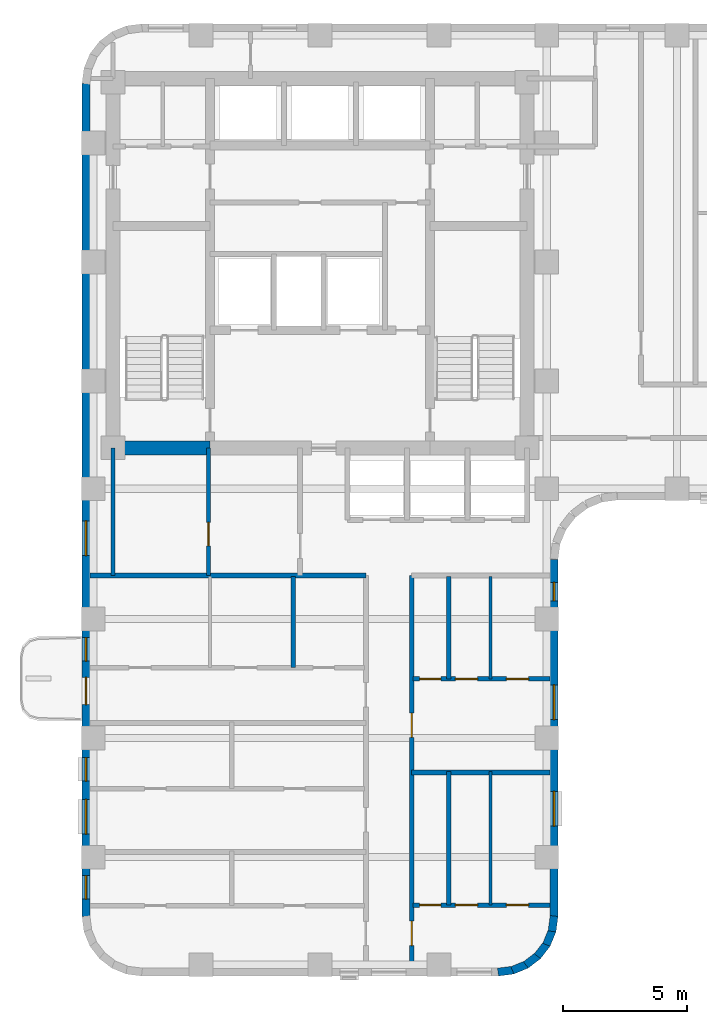
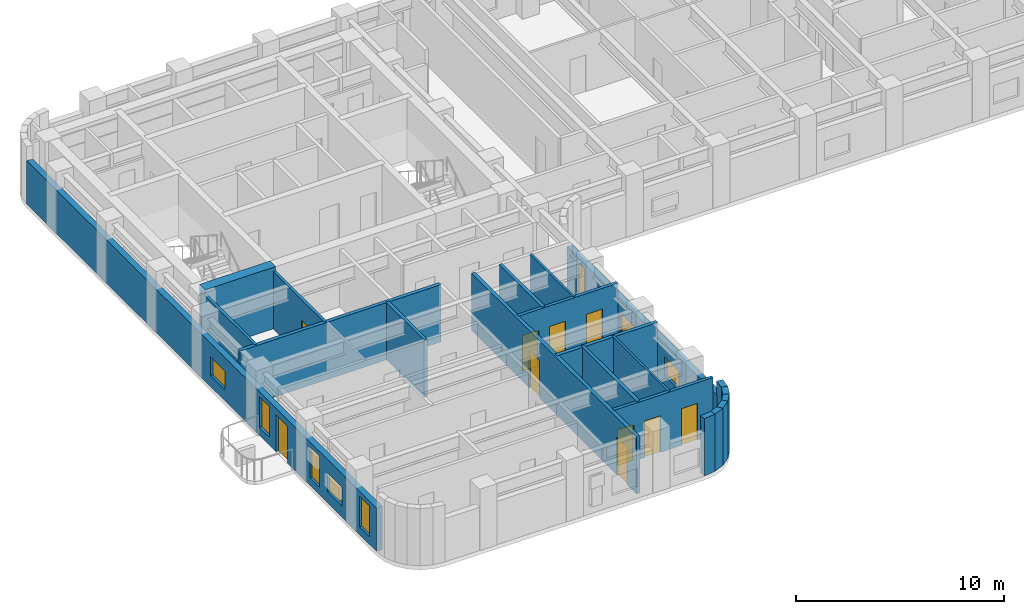
# One storey, part 3 of 10: 21 walls, 10 doors, 8 windows, 18 openings.
"""IFC4 building model written with IfcOpenShell, lengths in metres."""

from ifc_helpers import new_model, si_unit, direction, frame, frame_2d, origin, place, context, subcontext, project, spatial, rectangle, extrude, material, layer, layer_set, type_object, element, fill, save


model = new_model("IFC4")

# Units and contexts
model_context = context("Model", 3, precision=1e-05, world=origin(), true_north=direction((0.0, 1.0)))
body_context = subcontext(model_context, "Body", "Model", "MODEL_VIEW")
ifc_project = project(units=[si_unit("LENGTHUNIT", "METRE"), si_unit("AREAUNIT", "SQUARE_METRE"), si_unit("VOLUMEUNIT", "CUBIC_METRE"), si_unit("PLANEANGLEUNIT", "RADIAN"), si_unit("MASSUNIT", "GRAM", prefix="KILO")], contexts=[model_context])

# Site, building, storey
site_placement = place(None, origin())
site = spatial("IfcSite", under=ifc_project, at=site_placement, CompositionType="ELEMENT")
building_placement = place(site_placement, origin())
building = spatial("IfcBuilding", under=site, at=building_placement, Name="Orvandelia Arch Residences", CompositionType="ELEMENT")
storey_placement = place(building_placement, frame((0.0, 0.0, 139.60009765625)))
storey = spatial("IfcBuildingStorey", under=building, at=storey_placement, Name="L36", CompositionType="ELEMENT", Elevation=139.60009765625)

# Wall
ifc_material_1 = material(Name="Concrete C60/75", Category="concrete")
ifc_layer_1 = layer(ifc_material_1, 0.550048828125, Name="Concrete C60/75", Category="concrete")
ifc_layer_set_1 = layer_set([ifc_layer_1], Name="Concrete C60/75")
wall_type_1 = type_object("IfcWallType", Name="WL-CORE-550", PredefinedType="SHEAR", material=ifc_layer_set_1)
wall_1_placement = place(storey_placement, frame((6.050048828125, 30.89990234375, 0.0), z_axis=(0.0, 0.0, 1.0), x_axis=(1.0, 0.0, 0.0)))
element("IfcWall", 1, at=wall_1_placement, inside=storey, type_object=wall_type_1, Name="Core Shear Wall L36-SW", PredefinedType="SHEAR", context=body_context, shape_type="SweptSolid", body=[
    extrude(rectangle(XDim=3.909912109375, YDim=0.550048828125, at=frame_2d((1.955078125, 0.0))), origin(), (0.0, 0.0, 1.0), 3.599853515625),
])

# Wall, openings, doors
ifc_material_2 = material(Name="Fire-Rated Corridor Partition")
ifc_layer_2 = layer(ifc_material_2, 0.199951171875, Name="Fire-Rated Corridor Partition")
ifc_layer_set_2 = layer_set([ifc_layer_2], Name="Fire-Rated Corridor Partition")
wall_type_2 = type_object("IfcWallType", Name="WL-CORR-200", PredefinedType="PARTITIONING", material=ifc_layer_set_2)
wall_2_placement = place(storey_placement, frame((18.10009765625, 9.919921875, 0.0), z_axis=(0.0, 0.0, 1.0), x_axis=(0.0, 1.0, 0.0)))
wall_2 = element("IfcWall", 2, at=wall_2_placement, inside=storey, type_object=wall_type_2, Name="Interior Partition Wall WL-L36-WC-E", PredefinedType="PARTITIONING", context=body_context, shape_type="SweptSolid", body=[
    extrude(rectangle(XDim=15.830078125, YDim=0.199951171875, at=frame_2d((7.9150390625, 0.0))), origin(), (0.0, 0.0, 1.0), 3.35986328125),
])
opening_1_placement = place(wall_2_placement, frame((0.910888671875, 0.0, 0.0)))
opening_1 = element("IfcOpeningElement", 3, at=opening_1_placement, cuts=wall_2, Name="Opening D1", PredefinedType="OPENING", context=body_context, shape_type="SweptSolid", body=[
    extrude(rectangle(XDim=0.97998046875, YDim=2.179931640625, at=frame_2d((0.489990234375, 1.08984375))), frame((0.0, 0.10986328125, 0.0), z_axis=(0.0, -1.0, 0.0), x_axis=(1.0, 0.0, 0.0)), (0.0, 0.0, 1.0), 0.219970703125),
])
opening_2_placement = place(wall_2_placement, frame((9.302001953125, 0.0, 0.0)))
opening_2 = element("IfcOpeningElement", 4, at=opening_2_placement, cuts=wall_2, Name="Opening D1", PredefinedType="OPENING", context=body_context, shape_type="SweptSolid", body=[
    extrude(rectangle(XDim=0.97998046875, YDim=2.179931640625, at=frame_2d((0.489990234375, 1.08984375))), frame((0.0, 0.10986328125, 0.0), z_axis=(0.0, -1.0, 0.0), x_axis=(1.0, 0.0, 0.0)), (0.0, 0.0, 1.0), 0.219970703125),
])
ifc_material_3 = material(Name="Solid-Core Timber Acoustic Fire Door", Category="wood")
door_type_1 = type_object("IfcDoorType", Name="DR-ENT-980", OperationType="NOTDEFINED", PredefinedType="DOOR", material=ifc_material_3)
door_1_placement = place(opening_1_placement, origin())
door_1 = element("IfcDoor", 5, at=door_1_placement, inside=storey, type_object=door_type_1, Name="Unit L36-04 Entrance Door", OperationType="SINGLE_SWING_RIGHT", OverallHeight=2.179931640625, OverallWidth=0.97998046875, PredefinedType="DOOR", context=body_context, shape_type="SweptSolid", body=[
    extrude(rectangle(XDim=0.97998046875, YDim=2.179931640625, at=frame_2d((0.489990234375, 1.08984375))), frame((0.0, 0.02490234375, 0.0), z_axis=(0.0, -1.0, 0.0), x_axis=(1.0, 0.0, 0.0)), (0.0, 0.0, 1.0), 0.050048828125),
])
fill(opening_1, door_1)
door_2_placement = place(opening_2_placement, origin())
door_2 = element("IfcDoor", 6, at=door_2_placement, inside=storey, type_object=door_type_1, Name="Unit L36-05 Entrance Door", OperationType="SINGLE_SWING_LEFT", OverallHeight=2.179931640625, OverallWidth=0.97998046875, PredefinedType="DOOR", context=body_context, shape_type="SweptSolid", body=[
    extrude(rectangle(XDim=0.97998046875, YDim=2.179931640625, at=frame_2d((0.489990234375, 1.08984375))), frame((0.0, 0.02490234375, 0.0), z_axis=(0.0, -1.0, 0.0), x_axis=(1.0, 0.0, 0.0)), (0.0, 0.0, 1.0), 0.050048828125),
])
fill(opening_2, door_2)

# Walls
wall_3_placement = place(storey_placement, frame((5.1201171875, 25.75, 0.0), z_axis=(0.0, 0.0, 1.0), x_axis=(1.0, 0.0, 0.0)))
element("IfcWall", 7, at=wall_3_placement, inside=storey, type_object=wall_type_2, Name="Interior Partition Wall WL-L36-WCLS-W", PredefinedType="PARTITIONING", context=body_context, shape_type="SweptSolid", body=[
    extrude(rectangle(XDim=11.1298828125, YDim=0.199951171875, at=frame_2d((5.56494140625, 0.0))), origin(), (0.0, 0.0, 1.0), 3.35986328125),
])
ifc_material_4 = material(Name="Concrete C40/50", Category="concrete")
ifc_layer_3 = layer(ifc_material_4, 0.199951171875, Name="Concrete C40/50", Category="concrete")
ifc_layer_set_3 = layer_set([ifc_layer_3], Name="Concrete C40/50")
wall_type_3 = type_object("IfcWallType", Name="WL-DEM-200", PredefinedType="SOLIDWALL", material=ifc_layer_set_3)
wall_4_placement = place(storey_placement, frame((18.10009765625, 17.800048828125, 0.0), z_axis=(0.0, 0.0, 1.0), x_axis=(1.0, 0.0, 0.0)))
element("IfcWall", 8, at=wall_4_placement, inside=storey, type_object=wall_type_3, Name="Interior Partition Wall WL-L36-DEM-WR-178", PredefinedType="SOLIDWALL", context=body_context, shape_type="SweptSolid", body=[
    extrude(rectangle(XDim=5.579833984375, YDim=0.199951171875, at=frame_2d((2.7900390625, 0.0))), origin(), (0.0, 0.0, 1.0), 3.35986328125),
])

# Wall, openings, windows
ifc_material_5 = material(Name="Precast concrete C40/50", Category="concrete")
ifc_layer_4 = layer(ifc_material_5, 0.320068359375, Name="Precast concrete C40/50", Category="concrete")
ifc_layer_set_4 = layer_set([ifc_layer_4], Name="Precast concrete C40/50")
wall_type_4 = type_object("IfcWallType", Name="WL-EXT-STONE-320", PredefinedType="STANDARD", material=ifc_layer_set_4)
wall_5_placement = place(storey_placement, frame((23.840087890625, 26.39990234375, 0.0), z_axis=(0.0, 0.0, 1.0), x_axis=(0.0, -1.0, 0.0)))
wall_5 = element("IfcWall", 9, at=wall_5_placement, inside=storey, type_object=wall_type_4, Name="Coral-Limestone Precast Facade Wall L36-028", PredefinedType="STANDARD", context=body_context, shape_type="SweptSolid", body=[
    extrude(rectangle(XDim=14.39990234375, YDim=0.320068359375, at=frame_2d((7.199951171875, 0.0))), origin(), (0.0, 0.0, 1.0), 2.539794921875),
])
opening_3_placement = place(wall_5_placement, frame((9.3525390625, 0.0, 0.64990234375)))
opening_3 = element("IfcOpeningElement", 10, at=opening_3_placement, cuts=wall_5, Name="Opening W10", PredefinedType="OPENING", context=body_context, shape_type="SweptSolid", body=[
    extrude(rectangle(XDim=1.39990234375, YDim=1.10009765625, at=frame_2d((0.699951171875, 0.550048828125))), frame((0.0, 0.169921875, 0.0), z_axis=(0.0, -1.0, 0.0), x_axis=(1.0, 0.0, 0.0)), (0.0, 0.0, 1.0), 0.340087890625),
])
opening_4_placement = place(wall_5_placement, frame((0.91748046875, 0.0, 0.449951171875)))
opening_4 = element("IfcOpeningElement", 11, at=opening_4_placement, cuts=wall_5, Name="Opening W11", PredefinedType="OPENING", context=body_context, shape_type="SweptSolid", body=[
    extrude(rectangle(XDim=0.75, YDim=1.800048828125, at=frame_2d((0.375, 0.89990234375))), frame((0.0, 0.169921875, 0.0), z_axis=(0.0, -1.0, 0.0), x_axis=(1.0, 0.0, 0.0)), (0.0, 0.0, 1.0), 0.340087890625),
])
opening_5_placement = place(wall_5_placement, frame((5.060546875, 0.0, 0.64990234375)))
opening_5 = element("IfcOpeningElement", 12, at=opening_5_placement, cuts=wall_5, Name="Opening W10", PredefinedType="OPENING", context=body_context, shape_type="SweptSolid", body=[
    extrude(rectangle(XDim=1.39990234375, YDim=1.10009765625, at=frame_2d((0.699951171875, 0.550048828125))), frame((0.0, 0.169921875, 0.0), z_axis=(0.0, -1.0, 0.0), x_axis=(1.0, 0.0, 0.0)), (0.0, 0.0, 1.0), 0.340087890625),
])
ifc_material_6 = material(Name="Tempered Low-E Insulated Glazing", Category="glass")
window_type_1 = type_object("IfcWindowType", Name="WIN-BED-0750x1800", PartitioningType="SINGLE_PANEL", PredefinedType="WINDOW", material=ifc_material_6)
window_1_placement = place(opening_4_placement, origin())
window_1 = element("IfcWindow", 13, at=window_1_placement, inside=storey, type_object=window_type_1, Name="Recessed Punched Window L36-016", OverallHeight=1.800048828125, OverallWidth=0.75, PartitioningType="SINGLE_PANEL", PredefinedType="WINDOW", context=body_context, shape_type="SweptSolid", body=[
    extrude(rectangle(XDim=0.75, YDim=1.800048828125, at=frame_2d((0.375, 0.89990234375))), frame((0.0, 0.030029296875, 0.0), z_axis=(0.0, -1.0, 0.0), x_axis=(1.0, 0.0, 0.0)), (0.0, 0.0, 1.0), 0.06005859375),
])
fill(opening_4, window_1)
window_type_2 = type_object("IfcWindowType", Name="WIN-CLR-1400x1100", PartitioningType="SINGLE_PANEL", PredefinedType="WINDOW", material=ifc_material_6)
window_2_placement = place(opening_3_placement, origin())
window_2 = element("IfcWindow", 14, at=window_2_placement, inside=storey, type_object=window_type_2, Name="Recessed Punched Window L36-015", OverallHeight=1.10009765625, OverallWidth=1.39990234375, PartitioningType="SINGLE_PANEL", PredefinedType="WINDOW", context=body_context, shape_type="SweptSolid", body=[
    extrude(rectangle(XDim=1.39990234375, YDim=1.10009765625, at=frame_2d((0.699951171875, 0.550048828125))), frame((0.0, 0.030029296875, 0.0), z_axis=(0.0, -1.0, 0.0), x_axis=(1.0, 0.0, 0.0)), (0.0, 0.0, 1.0), 0.06005859375),
])
fill(opening_3, window_2)
window_3_placement = place(opening_5_placement, origin())
window_3 = element("IfcWindow", 15, at=window_3_placement, inside=storey, type_object=window_type_2, Name="Recessed Punched Window L36-017", OverallHeight=1.10009765625, OverallWidth=1.39990234375, PartitioningType="SINGLE_PANEL", PredefinedType="WINDOW", context=body_context, shape_type="SweptSolid", body=[
    extrude(rectangle(XDim=1.39990234375, YDim=1.10009765625, at=frame_2d((0.699951171875, 0.550048828125))), frame((0.0, 0.030029296875, 0.0), z_axis=(0.0, -1.0, 0.0), x_axis=(1.0, 0.0, 0.0)), (0.0, 0.0, 1.0), 0.06005859375),
])
fill(opening_5, window_3)

# Walls
wall_6_placement = place(storey_placement, frame((23.84130859375, 12.02099609375, 0.0), z_axis=(0.0, 0.0, 1.0), x_axis=(-0.130504898859, -0.991447664465, 0.0)))
element("IfcWall", 16, at=wall_6_placement, inside=storey, type_object=wall_type_4, Name="Coral-Limestone Precast Facade Wall L36-029", PredefinedType="STANDARD", context=body_context, shape_type="SweptSolid", body=[
    extrude(rectangle(XDim=0.626708984375, YDim=0.320068359375, at=frame_2d((0.3134765625, 0.0))), origin(), (0.0, 0.0, 1.0), 3.35986328125),
])
for number, where, z_axis, x_axis, name in (
    (17, (23.7705078125, 11.43994140625, 0.0), (0.0, 0.0, 1.0), (-0.382650053678, -0.92389335771, 0.0), "Coral-Limestone Precast Facade Wall L36-030"),
    (18, (23.551513671875, 10.8974609375, 0.0), (0.0, 0.0, 1.0), (-0.608693302629, -0.793405610854, 0.0), "Coral-Limestone Precast Facade Wall L36-031"),
    (19, (23.19970703125, 10.4296875, 0.0), (0.0, 0.0, 1.0), (-0.793405610854, -0.608693302629, 0.0), "Coral-Limestone Precast Facade Wall L36-032"),
    (20, (22.73876953125, 10.0693359375, 0.0), (0.0, 0.0, 1.0), (-0.92389335771, -0.382650053678, 0.0), "Coral-Limestone Precast Facade Wall L36-033"),
    (21, (22.2001953125, 9.84033203125, 0.0), (0.0, 0.0, 1.0), (-0.9914410257, -0.130555323746, 0.0), "Coral-Limestone Precast Facade Wall L36-034"),
):
    element("IfcWall", number, at=place(storey_placement, frame(where, z_axis=z_axis, x_axis=x_axis)), inside=storey, type_object=wall_type_4, Name=name, PredefinedType="STANDARD", context=body_context, shape_type="SweptSolid", body=[
        extrude(rectangle(XDim=0.62646484375, YDim=0.320068359375, at=frame_2d((0.313232421875, 0.0))), origin(), (0.0, 0.0, 1.0), 3.35986328125),
    ])

# Wall, openings, door, windows
wall_7_placement = place(storey_placement, frame((4.9599609375, 12.0, 0.0), z_axis=(0.0, 0.0, 1.0), x_axis=(0.0, 1.0, 0.0)))
wall_7 = element("IfcWall", 22, at=wall_7_placement, inside=storey, type_object=wall_type_4, Name="Coral-Limestone Precast Facade Wall L36-042", PredefinedType="STANDARD", context=body_context, shape_type="SweptSolid", body=[
    extrude(rectangle(XDim=33.60009765625, YDim=0.320068359375, at=frame_2d((16.800048828125, 0.0))), origin(), (0.0, 0.0, 1.0), 2.539794921875),
])
opening_6_placement = place(wall_7_placement, frame((8.550048828125, 0.0, 0.0)))
opening_6 = element("IfcOpeningElement", 23, at=opening_6_placement, cuts=wall_7, Name="Opening BD1", PredefinedType="OPENING", context=body_context, shape_type="SweptSolid", body=[
    extrude(rectangle(XDim=1.10009765625, YDim=2.14990234375, at=frame_2d((0.550048828125, 1.074951171875))), frame((0.0, 0.169921875, 0.0), z_axis=(0.0, -1.0, 0.0), x_axis=(1.0, 0.0, 0.0)), (0.0, 0.0, 1.0), 0.340087890625),
])
opening_7_placement = place(wall_7_placement, frame((3.327392578125, 0.0, 0.64990234375)))
opening_7 = element("IfcOpeningElement", 24, at=opening_7_placement, cuts=wall_7, Name="Opening W10", PredefinedType="OPENING", context=body_context, shape_type="SweptSolid", body=[
    extrude(rectangle(XDim=1.39990234375, YDim=1.10009765625, at=frame_2d((0.699951171875, 0.550048828125))), frame((0.0, 0.169921875, 0.0), z_axis=(0.0, -1.0, 0.0), x_axis=(1.0, 0.0, 0.0)), (0.0, 0.0, 1.0), 0.340087890625),
])
opening_8_placement = place(wall_7_placement, frame((10.297607421875, 0.0, 0.449951171875)))
opening_8 = element("IfcOpeningElement", 25, at=opening_8_placement, cuts=wall_7, Name="Opening W4", PredefinedType="OPENING", context=body_context, shape_type="SweptSolid", body=[
    extrude(rectangle(XDim=0.949951171875, YDim=1.800048828125, at=frame_2d((0.47509765625, 0.89990234375))), frame((0.0, 0.169921875, 0.0), z_axis=(0.0, -1.0, 0.0), x_axis=(1.0, 0.0, 0.0)), (0.0, 0.0, 1.0), 0.340087890625),
])
opening_9_placement = place(wall_7_placement, frame((0.699462890625, 0.0, 0.449951171875)))
opening_9 = element("IfcOpeningElement", 26, at=opening_9_placement, cuts=wall_7, Name="Opening W4", PredefinedType="OPENING", context=body_context, shape_type="SweptSolid", body=[
    extrude(rectangle(XDim=0.949951171875, YDim=1.800048828125, at=frame_2d((0.47509765625, 0.89990234375))), frame((0.0, 0.169921875, 0.0), z_axis=(0.0, -1.0, 0.0), x_axis=(1.0, 0.0, 0.0)), (0.0, 0.0, 1.0), 0.340087890625),
])
opening_10_placement = place(wall_7_placement, frame((5.45751953125, 0.0, 0.449951171875)))
opening_10 = element("IfcOpeningElement", 27, at=opening_10_placement, cuts=wall_7, Name="Opening W4", PredefinedType="OPENING", context=body_context, shape_type="SweptSolid", body=[
    extrude(rectangle(XDim=0.949951171875, YDim=1.800048828125, at=frame_2d((0.47509765625, 0.89990234375))), frame((0.0, 0.169921875, 0.0), z_axis=(0.0, -1.0, 0.0), x_axis=(1.0, 0.0, 0.0)), (0.0, 0.0, 1.0), 0.340087890625),
])
opening_11_placement = place(wall_7_placement, frame((14.5576171875, 0.0, 0.64990234375)))
opening_11 = element("IfcOpeningElement", 28, at=opening_11_placement, cuts=wall_7, Name="Opening W10", PredefinedType="OPENING", context=body_context, shape_type="SweptSolid", body=[
    extrude(rectangle(XDim=1.39990234375, YDim=1.10009765625, at=frame_2d((0.699951171875, 0.550048828125))), frame((0.0, 0.169921875, 0.0), z_axis=(0.0, -1.0, 0.0), x_axis=(1.0, 0.0, 0.0)), (0.0, 0.0, 1.0), 0.340087890625),
])
ifc_material_7 = material(Name="Thermally Broken Aluminium Glazed Door", Category="aluminium")
door_type_2 = type_object("IfcDoorType", Name="DR-BAL-GLAZ-1100", OperationType="NOTDEFINED", PredefinedType="DOOR", material=ifc_material_7)
door_3_placement = place(opening_6_placement, origin())
door_3 = element("IfcDoor", 29, at=door_3_placement, inside=storey, type_object=door_type_2, Name="Tree Balcony Glazed Door BAL-L36-W1", OperationType="SINGLE_SWING_RIGHT", OverallHeight=2.14990234375, OverallWidth=1.10009765625, PredefinedType="DOOR", context=body_context, shape_type="SweptSolid", body=[
    extrude(rectangle(XDim=1.10009765625, YDim=2.14990234375, at=frame_2d((0.550048828125, 1.074951171875))), frame((0.0, 0.02490234375, 0.0), z_axis=(0.0, -1.0, 0.0), x_axis=(1.0, 0.0, 0.0)), (0.0, 0.0, 1.0), 0.050048828125),
])
fill(opening_6, door_3)
window_4_placement = place(opening_7_placement, origin())
window_4 = element("IfcWindow", 30, at=window_4_placement, inside=storey, type_object=window_type_2, Name="Recessed Punched Window L36-021", OverallHeight=1.10009765625, OverallWidth=1.39990234375, PartitioningType="SINGLE_PANEL", PredefinedType="WINDOW", context=body_context, shape_type="SweptSolid", body=[
    extrude(rectangle(XDim=1.39990234375, YDim=1.10009765625, at=frame_2d((0.699951171875, 0.550048828125))), frame((0.0, 0.030029296875, 0.0), z_axis=(0.0, -1.0, 0.0), x_axis=(1.0, 0.0, 0.0)), (0.0, 0.0, 1.0), 0.06005859375),
])
fill(opening_7, window_4)
window_5_placement = place(opening_11_placement, origin())
window_5 = element("IfcWindow", 31, at=window_5_placement, inside=storey, type_object=window_type_2, Name="Recessed Punched Window L36-025", OverallHeight=1.10009765625, OverallWidth=1.39990234375, PartitioningType="SINGLE_PANEL", PredefinedType="WINDOW", context=body_context, shape_type="SweptSolid", body=[
    extrude(rectangle(XDim=1.39990234375, YDim=1.10009765625, at=frame_2d((0.699951171875, 0.550048828125))), frame((0.0, 0.030029296875, 0.0), z_axis=(0.0, -1.0, 0.0), x_axis=(1.0, 0.0, 0.0)), (0.0, 0.0, 1.0), 0.06005859375),
])
fill(opening_11, window_5)
window_type_3 = type_object("IfcWindowType", Name="WIN-RES-0950x1800", PartitioningType="SINGLE_PANEL", PredefinedType="WINDOW", material=ifc_material_6)
window_6_placement = place(opening_8_placement, origin())
window_6 = element("IfcWindow", 32, at=window_6_placement, inside=storey, type_object=window_type_3, Name="Recessed Punched Window L36-022", OverallHeight=1.800048828125, OverallWidth=0.949951171875, PartitioningType="SINGLE_PANEL", PredefinedType="WINDOW", context=body_context, shape_type="SweptSolid", body=[
    extrude(rectangle(XDim=0.949951171875, YDim=1.800048828125, at=frame_2d((0.47509765625, 0.89990234375))), frame((0.0, 0.030029296875, 0.0), z_axis=(0.0, -1.0, 0.0), x_axis=(1.0, 0.0, 0.0)), (0.0, 0.0, 1.0), 0.06005859375),
])
fill(opening_8, window_6)
window_7_placement = place(opening_9_placement, origin())
window_7 = element("IfcWindow", 33, at=window_7_placement, inside=storey, type_object=window_type_3, Name="Recessed Punched Window L36-023", OverallHeight=1.800048828125, OverallWidth=0.949951171875, PartitioningType="SINGLE_PANEL", PredefinedType="WINDOW", context=body_context, shape_type="SweptSolid", body=[
    extrude(rectangle(XDim=0.949951171875, YDim=1.800048828125, at=frame_2d((0.47509765625, 0.89990234375))), frame((0.0, 0.030029296875, 0.0), z_axis=(0.0, -1.0, 0.0), x_axis=(1.0, 0.0, 0.0)), (0.0, 0.0, 1.0), 0.06005859375),
])
fill(opening_9, window_7)
window_8_placement = place(opening_10_placement, origin())
window_8 = element("IfcWindow", 34, at=window_8_placement, inside=storey, type_object=window_type_3, Name="Recessed Punched Window L36-024", OverallHeight=1.800048828125, OverallWidth=0.949951171875, PartitioningType="SINGLE_PANEL", PredefinedType="WINDOW", context=body_context, shape_type="SweptSolid", body=[
    extrude(rectangle(XDim=0.949951171875, YDim=1.800048828125, at=frame_2d((0.47509765625, 0.89990234375))), frame((0.0, 0.030029296875, 0.0), z_axis=(0.0, -1.0, 0.0), x_axis=(1.0, 0.0, 0.0)), (0.0, 0.0, 1.0), 0.06005859375),
])
fill(opening_10, window_8)

# Walls
ifc_material_8 = material(Name="Lightweight Gypsum Stud Partition")
ifc_layer_5 = layer(ifc_material_8, 0.1201171875, Name="Lightweight Gypsum Stud Partition")
ifc_layer_set_5 = layer_set([ifc_layer_5], Name="Lightweight Gypsum Stud Partition")
wall_type_5 = type_object("IfcWallType", Name="WL-PART-120", PredefinedType="PARTITIONING", material=ifc_layer_set_5)
wall_8_placement = place(storey_placement, frame((21.284912109375, 12.4619140625, 0.0), z_axis=(0.0, 0.0, 1.0), x_axis=(0.0, 1.0, 0.0)))
element("IfcWall", 35, at=wall_8_placement, inside=storey, type_object=wall_type_5, Name="Interior Partition Wall WL-L36-U04-V2", PredefinedType="PARTITIONING", context=body_context, shape_type="SweptSolid", body=[
    extrude(rectangle(XDim=5.378173828125, YDim=0.1201171875, at=frame_2d((2.68896484375, 0.0))), origin(), (0.0, 0.0, 1.0), 3.35986328125),
])
wall_9_placement = place(storey_placement, frame((21.284912109375, 21.583984375, 0.0), z_axis=(0.0, 0.0, 1.0), x_axis=(0.0, 1.0, 0.0)))
element("IfcWall", 36, at=wall_9_placement, inside=storey, type_object=wall_type_5, Name="Interior Partition Wall WL-L36-U05-V2", PredefinedType="PARTITIONING", context=body_context, shape_type="SweptSolid", body=[
    extrude(rectangle(XDim=4.135986328125, YDim=0.1201171875, at=frame_2d((2.06787109375, 0.0))), origin(), (0.0, 0.0, 1.0), 3.35986328125),
])
ifc_material_9 = material(Name="Acoustic Gypsum Stud Partition")
ifc_layer_6 = layer(ifc_material_9, 0.14990234375, Name="Acoustic Gypsum Stud Partition")
ifc_layer_set_6 = layer_set([ifc_layer_6], Name="Acoustic Gypsum Stud Partition")
wall_type_6 = type_object("IfcWallType", Name="WL-PART-150", PredefinedType="PARTITIONING", material=ifc_layer_set_6)
wall_10_placement = place(storey_placement, frame((6.050048828125, 25.75, 0.0), z_axis=(0.0, 0.0, 1.0), x_axis=(0.0, 1.0, 0.0)))
element("IfcWall", 37, at=wall_10_placement, inside=storey, type_object=wall_type_6, Name="Interior Partition Wall WL-L36-B1REUSE-W", PredefinedType="PARTITIONING", context=body_context, shape_type="SweptSolid", body=[
    extrude(rectangle(XDim=5.14990234375, YDim=0.14990234375, at=frame_2d((2.574951171875, 0.0))), origin(), (0.0, 0.0, 1.0), 3.35986328125),
])

# Wall, opening, door
wall_11_placement = place(storey_placement, frame((9.89990234375, 25.75, 0.0), z_axis=(0.0, 0.0, 1.0), x_axis=(0.0, 1.0, 0.0)))
wall_11 = element("IfcWall", 38, at=wall_11_placement, inside=storey, type_object=wall_type_6, Name="Interior Partition Wall WL-L36-B1R-M", PredefinedType="PARTITIONING", context=body_context, shape_type="SweptSolid", body=[
    extrude(rectangle(XDim=5.14990234375, YDim=0.14990234375, at=frame_2d((2.574951171875, 0.0))), origin(), (0.0, 0.0, 1.0), 3.35986328125),
])
opening_12_placement = place(wall_11_placement, frame((1.199951171875, 0.0, 0.0)))
opening_12 = element("IfcOpeningElement", 39, at=opening_12_placement, cuts=wall_11, Name="Opening D2", PredefinedType="OPENING", context=body_context, shape_type="SweptSolid", body=[
    extrude(rectangle(XDim=0.949951171875, YDim=2.14990234375, at=frame_2d((0.47509765625, 1.074951171875))), frame((0.0, 0.0849609375, 0.0), z_axis=(0.0, -1.0, 0.0), x_axis=(1.0, 0.0, 0.0)), (0.0, 0.0, 1.0), 0.169921875),
])
ifc_material_10 = material(Name="Solid-Core Timber Interior Fire Door", Category="wood")
door_type_3 = type_object("IfcDoorType", Name="DR-APT-950", OperationType="NOTDEFINED", PredefinedType="DOOR", material=ifc_material_10)
door_4_placement = place(opening_12_placement, origin())
door_4 = element("IfcDoor", 40, at=door_4_placement, inside=storey, type_object=door_type_3, Name="DR-L36-B1RA", OperationType="SINGLE_SWING_RIGHT", OverallHeight=2.14990234375, OverallWidth=0.949951171875, PredefinedType="DOOR", context=body_context, shape_type="SweptSolid", body=[
    extrude(rectangle(XDim=0.949951171875, YDim=2.14990234375, at=frame_2d((0.47509765625, 1.074951171875))), frame((0.0, 0.02490234375, 0.0), z_axis=(0.0, -1.0, 0.0), x_axis=(1.0, 0.0, 0.0)), (0.0, 0.0, 1.0), 0.050048828125),
])
fill(opening_12, door_4)

# Wall
ifc_material_11 = material(Name="Moisture-Resistant Plumbing Wall")
ifc_layer_7 = layer(ifc_material_11, 0.179931640625, Name="Moisture-Resistant Plumbing Wall")
ifc_layer_set_7 = layer_set([ifc_layer_7], Name="Moisture-Resistant Plumbing Wall")
wall_type_7 = type_object("IfcWallType", Name="WL-WET-180", PredefinedType="PLUMBINGWALL", material=ifc_layer_set_7)
wall_12_placement = place(storey_placement, frame((13.322998046875, 22.0400390625, 0.0), z_axis=(0.0, 0.0, 1.0), x_axis=(0.0, 1.0, 0.0)))
element("IfcWall", 41, at=wall_12_placement, inside=storey, type_object=wall_type_7, Name="Interior Partition Wall WL-L36-U03-V2", PredefinedType="PLUMBINGWALL", context=body_context, shape_type="SweptSolid", body=[
    extrude(rectangle(XDim=3.679931640625, YDim=0.179931640625, at=frame_2d((1.83984375, 0.0))), origin(), (0.0, 0.0, 1.0), 3.35986328125),
])

# Wall, openings, doors
wall_13_placement = place(storey_placement, frame((18.159912109375, 12.4619140625, 0.0), z_axis=(0.0, 0.0, 1.0), x_axis=(1.0, 0.0, 0.0)))
wall_13 = element("IfcWall", 42, at=wall_13_placement, inside=storey, type_object=wall_type_7, Name="Interior Partition Wall WL-L36-U04-HZ", PredefinedType="PLUMBINGWALL", context=body_context, shape_type="SweptSolid", body=[
    extrude(rectangle(XDim=5.52001953125, YDim=0.179931640625, at=frame_2d((2.760009765625, 0.0))), origin(), (0.0, 0.0, 1.0), 3.35986328125),
])
opening_13_placement = place(wall_13_placement, frame((0.260009765625, 0.0, 0.0)))
opening_13 = element("IfcOpeningElement", 43, at=opening_13_placement, cuts=wall_13, Name="Opening D4", PredefinedType="OPENING", context=body_context, shape_type="SweptSolid", body=[
    extrude(rectangle(XDim=0.860107421875, YDim=2.10009765625, at=frame_2d((0.43017578125, 1.050048828125))), frame((0.0, 0.10009765625, 0.0), z_axis=(0.0, -1.0, 0.0), x_axis=(1.0, 0.0, 0.0)), (0.0, 0.0, 1.0), 0.199951171875),
])
opening_14_placement = place(wall_13_placement, frame((1.697998046875, 0.0, 0.0)))
opening_14 = element("IfcOpeningElement", 44, at=opening_14_placement, cuts=wall_13, Name="Opening D3", PredefinedType="OPENING", context=body_context, shape_type="SweptSolid", body=[
    extrude(rectangle(XDim=0.89990234375, YDim=2.14990234375, at=frame_2d((0.449951171875, 1.074951171875))), frame((0.0, 0.10009765625, 0.0), z_axis=(0.0, -1.0, 0.0), x_axis=(1.0, 0.0, 0.0)), (0.0, 0.0, 1.0), 0.199951171875),
])
opening_15_placement = place(wall_13_placement, frame((3.757080078125, 0.0, 0.0)))
opening_15 = element("IfcOpeningElement", 45, at=opening_15_placement, cuts=wall_13, Name="Opening D3", PredefinedType="OPENING", context=body_context, shape_type="SweptSolid", body=[
    extrude(rectangle(XDim=0.89990234375, YDim=2.14990234375, at=frame_2d((0.449951171875, 1.074951171875))), frame((0.0, 0.10009765625, 0.0), z_axis=(0.0, -1.0, 0.0), x_axis=(1.0, 0.0, 0.0)), (0.0, 0.0, 1.0), 0.199951171875),
])
ifc_material_12 = material(Name="Engineered Timber Flush Door", Category="wood")
door_type_4 = type_object("IfcDoorType", Name="DR-INT-900", OperationType="NOTDEFINED", PredefinedType="DOOR", material=ifc_material_12)
door_5_placement = place(opening_14_placement, origin())
door_5 = element("IfcDoor", 46, at=door_5_placement, inside=storey, type_object=door_type_4, Name="DR-L36-U04-KIT", OperationType="SINGLE_SWING_RIGHT", OverallHeight=2.14990234375, OverallWidth=0.89990234375, PredefinedType="DOOR", context=body_context, shape_type="SweptSolid", body=[
    extrude(rectangle(XDim=0.89990234375, YDim=2.14990234375, at=frame_2d((0.449951171875, 1.074951171875))), frame((0.0, 0.02490234375, 0.0), z_axis=(0.0, -1.0, 0.0), x_axis=(1.0, 0.0, 0.0)), (0.0, 0.0, 1.0), 0.050048828125),
])
fill(opening_14, door_5)
door_6_placement = place(opening_15_placement, origin())
door_6 = element("IfcDoor", 47, at=door_6_placement, inside=storey, type_object=door_type_4, Name="DR-L36-U04-BD1", OperationType="SINGLE_SWING_LEFT", OverallHeight=2.14990234375, OverallWidth=0.89990234375, PredefinedType="DOOR", context=body_context, shape_type="SweptSolid", body=[
    extrude(rectangle(XDim=0.89990234375, YDim=2.14990234375, at=frame_2d((0.449951171875, 1.074951171875))), frame((0.0, 0.02490234375, 0.0), z_axis=(0.0, -1.0, 0.0), x_axis=(1.0, 0.0, 0.0)), (0.0, 0.0, 1.0), 0.050048828125),
])
fill(opening_15, door_6)
ifc_material_13 = material(Name="Moisture-Sealed Timber Bathroom Door", Category="wood")
door_type_5 = type_object("IfcDoorType", Name="DR-WET-900", OperationType="NOTDEFINED", PredefinedType="DOOR", material=ifc_material_13)
door_7_placement = place(opening_13_placement, origin())
door_7 = element("IfcDoor", 48, at=door_7_placement, inside=storey, type_object=door_type_5, Name="DR-L36-U04-BTH", OperationType="SINGLE_SWING_LEFT", OverallHeight=2.10009765625, OverallWidth=0.860107421875, PredefinedType="DOOR", context=body_context, shape_type="SweptSolid", body=[
    extrude(rectangle(XDim=0.860107421875, YDim=2.10009765625, at=frame_2d((0.43017578125, 1.050048828125))), frame((0.0, 0.02490234375, 0.0), z_axis=(0.0, -1.0, 0.0), x_axis=(1.0, 0.0, 0.0)), (0.0, 0.0, 1.0), 0.050048828125),
])
fill(opening_13, door_7)

# Wall
wall_14_placement = place(storey_placement, frame((19.597900390625, 12.4619140625, 0.0), z_axis=(0.0, 0.0, 1.0), x_axis=(0.0, 1.0, 0.0)))
element("IfcWall", 49, at=wall_14_placement, inside=storey, type_object=wall_type_7, Name="Interior Partition Wall WL-L36-U04-V1", PredefinedType="PLUMBINGWALL", context=body_context, shape_type="SweptSolid", body=[
    extrude(rectangle(XDim=5.378173828125, YDim=0.179931640625, at=frame_2d((2.68896484375, 0.0))), origin(), (0.0, 0.0, 1.0), 3.35986328125),
])

# Wall, openings, doors
wall_15_placement = place(storey_placement, frame((18.159912109375, 21.583984375, 0.0), z_axis=(0.0, 0.0, 1.0), x_axis=(1.0, 0.0, 0.0)))
wall_15 = element("IfcWall", 50, at=wall_15_placement, inside=storey, type_object=wall_type_7, Name="Interior Partition Wall WL-L36-U05-HZ", PredefinedType="PLUMBINGWALL", context=body_context, shape_type="SweptSolid", body=[
    extrude(rectangle(XDim=5.52001953125, YDim=0.179931640625, at=frame_2d((2.760009765625, 0.0))), origin(), (0.0, 0.0, 1.0), 3.35986328125),
])
opening_16_placement = place(wall_15_placement, frame((0.260009765625, 0.0, 0.0)))
opening_16 = element("IfcOpeningElement", 51, at=opening_16_placement, cuts=wall_15, Name="Opening D4", PredefinedType="OPENING", context=body_context, shape_type="SweptSolid", body=[
    extrude(rectangle(XDim=0.860107421875, YDim=2.10009765625, at=frame_2d((0.43017578125, 1.050048828125))), frame((0.0, 0.10009765625, 0.0), z_axis=(0.0, -1.0, 0.0), x_axis=(1.0, 0.0, 0.0)), (0.0, 0.0, 1.0), 0.199951171875),
])
opening_17_placement = place(wall_15_placement, frame((1.697998046875, 0.0, 0.0)))
opening_17 = element("IfcOpeningElement", 52, at=opening_17_placement, cuts=wall_15, Name="Opening D3", PredefinedType="OPENING", context=body_context, shape_type="SweptSolid", body=[
    extrude(rectangle(XDim=0.89990234375, YDim=2.14990234375, at=frame_2d((0.449951171875, 1.074951171875))), frame((0.0, 0.10009765625, 0.0), z_axis=(0.0, -1.0, 0.0), x_axis=(1.0, 0.0, 0.0)), (0.0, 0.0, 1.0), 0.199951171875),
])
opening_18_placement = place(wall_15_placement, frame((3.757080078125, 0.0, 0.0)))
opening_18 = element("IfcOpeningElement", 53, at=opening_18_placement, cuts=wall_15, Name="Opening D3", PredefinedType="OPENING", context=body_context, shape_type="SweptSolid", body=[
    extrude(rectangle(XDim=0.89990234375, YDim=2.14990234375, at=frame_2d((0.449951171875, 1.074951171875))), frame((0.0, 0.10009765625, 0.0), z_axis=(0.0, -1.0, 0.0), x_axis=(1.0, 0.0, 0.0)), (0.0, 0.0, 1.0), 0.199951171875),
])
door_8_placement = place(opening_17_placement, origin())
door_8 = element("IfcDoor", 54, at=door_8_placement, inside=storey, type_object=door_type_4, Name="DR-L36-U05-KIT", OperationType="SINGLE_SWING_LEFT", OverallHeight=2.14990234375, OverallWidth=0.89990234375, PredefinedType="DOOR", context=body_context, shape_type="SweptSolid", body=[
    extrude(rectangle(XDim=0.89990234375, YDim=2.14990234375, at=frame_2d((0.449951171875, 1.074951171875))), frame((0.0, 0.02490234375, 0.0), z_axis=(0.0, -1.0, 0.0), x_axis=(1.0, 0.0, 0.0)), (0.0, 0.0, 1.0), 0.050048828125),
])
fill(opening_17, door_8)
door_9_placement = place(opening_18_placement, origin())
door_9 = element("IfcDoor", 55, at=door_9_placement, inside=storey, type_object=door_type_4, Name="DR-L36-U05-BD1", OperationType="SINGLE_SWING_RIGHT", OverallHeight=2.14990234375, OverallWidth=0.89990234375, PredefinedType="DOOR", context=body_context, shape_type="SweptSolid", body=[
    extrude(rectangle(XDim=0.89990234375, YDim=2.14990234375, at=frame_2d((0.449951171875, 1.074951171875))), frame((0.0, 0.02490234375, 0.0), z_axis=(0.0, -1.0, 0.0), x_axis=(1.0, 0.0, 0.0)), (0.0, 0.0, 1.0), 0.050048828125),
])
fill(opening_18, door_9)
door_10_placement = place(opening_16_placement, origin())
door_10 = element("IfcDoor", 56, at=door_10_placement, inside=storey, type_object=door_type_5, Name="DR-L36-U05-BTH", OperationType="SINGLE_SWING_RIGHT", OverallHeight=2.10009765625, OverallWidth=0.860107421875, PredefinedType="DOOR", context=body_context, shape_type="SweptSolid", body=[
    extrude(rectangle(XDim=0.860107421875, YDim=2.10009765625, at=frame_2d((0.43017578125, 1.050048828125))), frame((0.0, 0.02490234375, 0.0), z_axis=(0.0, -1.0, 0.0), x_axis=(1.0, 0.0, 0.0)), (0.0, 0.0, 1.0), 0.050048828125),
])
fill(opening_16, door_10)

# Wall
wall_16_placement = place(storey_placement, frame((19.597900390625, 21.583984375, 0.0), z_axis=(0.0, 0.0, 1.0), x_axis=(0.0, 1.0, 0.0)))
element("IfcWall", 57, at=wall_16_placement, inside=storey, type_object=wall_type_7, Name="Interior Partition Wall WL-L36-U05-V1", PredefinedType="PLUMBINGWALL", context=body_context, shape_type="SweptSolid", body=[
    extrude(rectangle(XDim=4.135986328125, YDim=0.179931640625, at=frame_2d((2.06787109375, 0.0))), origin(), (0.0, 0.0, 1.0), 3.35986328125),
])

save(model, "model.ifc")
